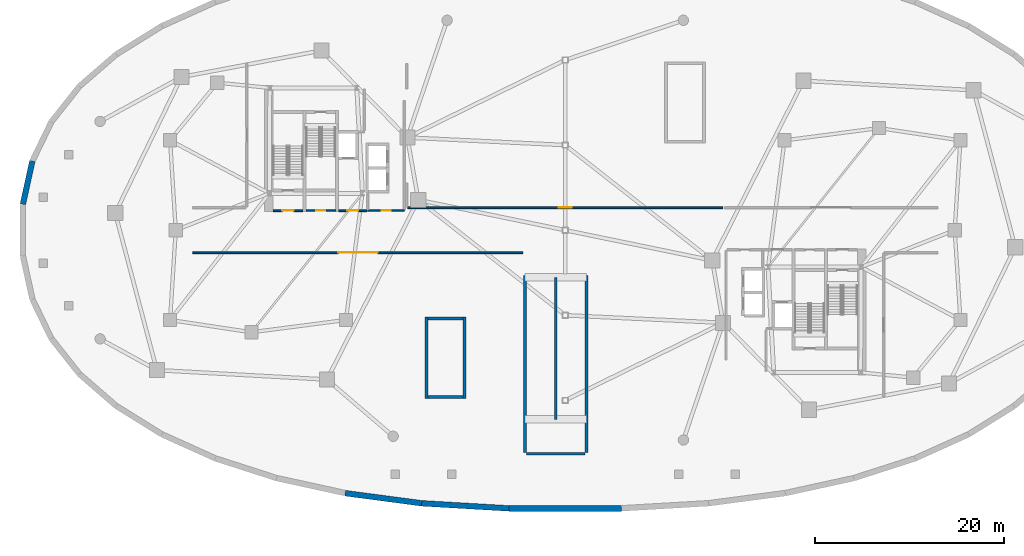
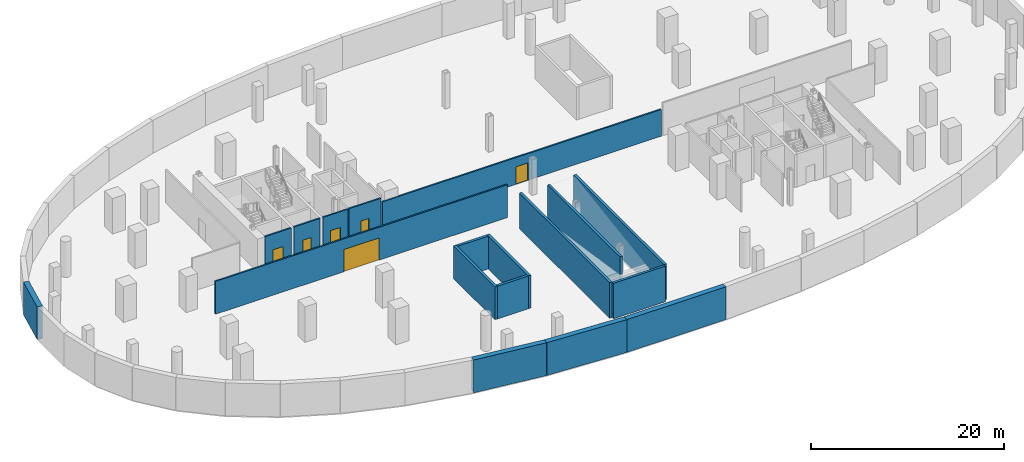
# One storey, part 5 of 10: 18 walls, 6 doors, 6 openings.
"""IFC4 building model written with IfcOpenShell, lengths in metres."""

from ifc_helpers import new_model, si_unit, direction, frame, frame_2d, origin, place, context, subcontext, project, spatial, rectangle, extrude, material, layer, layer_set, type_object, element, fill, save


model = new_model("IFC4")

# Units and contexts
model_context = context("Model", 3, precision=1e-05, world=origin(), true_north=direction((0.0, 1.0)))
body_context = subcontext(model_context, "Body", "Model", "MODEL_VIEW")
ifc_project = project(units=[si_unit("LENGTHUNIT", "METRE"), si_unit("AREAUNIT", "SQUARE_METRE"), si_unit("VOLUMEUNIT", "CUBIC_METRE"), si_unit("PLANEANGLEUNIT", "RADIAN"), si_unit("MASSUNIT", "GRAM", prefix="KILO"), si_unit("THERMODYNAMICTEMPERATUREUNIT", "KELVIN"), si_unit("POWERUNIT", "WATT")], contexts=[model_context])

# Site, building, storey
site_placement = place(None, origin())
site = spatial("IfcSite", under=ifc_project, at=site_placement, CompositionType="ELEMENT")
building_placement = place(site_placement, origin())
building = spatial("IfcBuilding", under=site, at=building_placement, Name="Cundina Bronze Exchange", CompositionType="ELEMENT")
storey_placement = place(building_placement, frame((0.0, 0.0, -4.5)))
storey = spatial("IfcBuildingStorey", under=building, at=storey_placement, Name="B01", CompositionType="ELEMENT", Elevation=-4.5)

# Wall, opening, door
ifc_material_1 = material(Name="Gypsum Fireboard Partition EI120")
ifc_layer_1 = layer(ifc_material_1, 0.179931640625, Name="Gypsum Fireboard Partition EI120")
ifc_layer_set_1 = layer_set([ifc_layer_1], Name="Gypsum Fireboard Partition EI120")
wall_type_1 = type_object("IfcWallType", Name="WL-COR-180", PredefinedType="PARTITIONING", material=ifc_layer_set_1)
wall_1_placement = place(storey_placement, frame((-23.97998046875, 2.06005859375, 0.0), z_axis=(0.0, 0.0, 1.0), x_axis=(1.0, 0.0, 0.0)))
wall_1 = element("IfcWall", 1, at=wall_1_placement, inside=storey, type_object=wall_type_1, Name="B01 W Firefighting Lobby Exit Wall", PredefinedType="PARTITIONING", context=body_context, shape_type="SweptSolid", body=[
    extrude(rectangle(XDim=3.0, YDim=0.179931640625, at=frame_2d((1.5, 0.0))), origin(), (0.0, 0.0, 1.0), 4.14990234375),
])
opening_1_placement = place(wall_1_placement, frame((0.89990234375, 0.0, 0.0)))
opening_1 = element("IfcOpeningElement", 2, at=opening_1_placement, cuts=wall_1, Name="Opening DF-01", PredefinedType="OPENING", context=body_context, shape_type="SweptSolid", body=[
    extrude(rectangle(XDim=1.199951171875, YDim=2.14990234375, at=frame_2d((0.60009765625, 1.074951171875))), frame((0.0, 0.099853515625, 0.0), z_axis=(0.0, -1.0, 0.0), x_axis=(1.0, 0.0, 0.0)), (0.0, 0.0, 1.0), 0.199951171875),
])
ifc_material_2 = material(Name="Steel ASTM A36 Painted", Category="steel")
door_type_1 = type_object("IfcDoorType", Name="DR-FFL-1200", OperationType="NOTDEFINED", PredefinedType="DOOR", material=ifc_material_2)
door_1_placement = place(opening_1_placement, origin())
door_1 = element("IfcDoor", 3, at=door_1_placement, inside=storey, type_object=door_type_1, Name="B01 W Firefighting Lobby Door", OperationType="SINGLE_SWING_RIGHT", OverallHeight=2.14990234375, OverallWidth=1.199951171875, PredefinedType="DOOR", context=body_context, shape_type="SweptSolid", body=[
    extrude(rectangle(XDim=1.199951171875, YDim=2.14990234375, at=frame_2d((0.60009765625, 1.074951171875))), frame((0.0, 0.02490234375, 0.0), z_axis=(0.0, -1.0, 0.0), x_axis=(1.0, 0.0, 0.0)), (0.0, 0.0, 1.0), 0.050048828125),
])
fill(opening_1, door_1)

wall_2_placement = place(storey_placement, frame((-30.89990234375, 2.06005859375, 0.0), z_axis=(0.0, 0.0, 1.0), x_axis=(1.0, 0.0, 0.0)))
wall_2 = element("IfcWall", 4, at=wall_2_placement, inside=storey, type_object=wall_type_1, Name="B01 W Stair Vestibule Exit Wall", PredefinedType="PARTITIONING", context=body_context, shape_type="SweptSolid", body=[
    extrude(rectangle(XDim=3.159912109375, YDim=0.179931640625, at=frame_2d((1.580078125, 0.0))), origin(), (0.0, 0.0, 1.0), 4.14990234375),
])
opening_2_placement = place(wall_2_placement, frame((0.97998046875, 0.0, 0.0)))
opening_2 = element("IfcOpeningElement", 5, at=opening_2_placement, cuts=wall_2, Name="Opening DF-01", PredefinedType="OPENING", context=body_context, shape_type="SweptSolid", body=[
    extrude(rectangle(XDim=1.199951171875, YDim=2.14990234375, at=frame_2d((0.60009765625, 1.074951171875))), frame((0.0, 0.099853515625, 0.0), z_axis=(0.0, -1.0, 0.0), x_axis=(1.0, 0.0, 0.0)), (0.0, 0.0, 1.0), 0.199951171875),
])
door_2_placement = place(opening_2_placement, origin())
door_2 = element("IfcDoor", 6, at=door_2_placement, inside=storey, type_object=door_type_1, Name="B01 W Stair Vestibule Door", OperationType="SINGLE_SWING_LEFT", OverallHeight=2.14990234375, OverallWidth=1.199951171875, PredefinedType="DOOR", context=body_context, shape_type="SweptSolid", body=[
    extrude(rectangle(XDim=1.199951171875, YDim=2.14990234375, at=frame_2d((0.60009765625, 1.074951171875))), frame((0.0, 0.02490234375, 0.0), z_axis=(0.0, -1.0, 0.0), x_axis=(1.0, 0.0, 0.0)), (0.0, 0.0, 1.0), 0.050048828125),
])
fill(opening_2, door_2)

wall_3_placement = place(storey_placement, frame((-20.8701171875, 2.070068359375, 0.0), z_axis=(0.0, 0.0, 1.0), x_axis=(1.0, 0.0, 0.0)))
wall_3 = element("IfcWall", 7, at=wall_3_placement, inside=storey, type_object=wall_type_1, Name="B01 Interior Partition 002", PredefinedType="PARTITIONING", context=body_context, shape_type="SweptSolid", body=[
    extrude(rectangle(XDim=3.830078125, YDim=0.179931640625, at=frame_2d((1.9150390625, 0.0))), origin(), (0.0, 0.0, 1.0), 4.14990234375),
])
opening_3_placement = place(wall_3_placement, frame((1.43994140625, 0.0, 0.0)))
opening_3 = element("IfcOpeningElement", 8, at=opening_3_placement, cuts=wall_3, Name="Opening DW-01", PredefinedType="OPENING", context=body_context, shape_type="SweptSolid", body=[
    extrude(rectangle(XDim=0.949951171875, YDim=2.10009765625, at=frame_2d((0.47509765625, 1.050048828125))), frame((0.0, 0.099853515625, 0.0), z_axis=(0.0, -1.0, 0.0), x_axis=(1.0, 0.0, 0.0)), (0.0, 0.0, 1.0), 0.199951171875),
])
ifc_material_3 = material(Name="Solid Andean Oak Timber Grade A", Category="wood")
door_type_2 = type_object("IfcDoorType", Name="DR-WC-950", OperationType="NOTDEFINED", PredefinedType="DOOR", material=ifc_material_3)
door_3_placement = place(opening_3_placement, origin())
door_3 = element("IfcDoor", 9, at=door_3_placement, inside=storey, type_object=door_type_2, Name="B01 Interior Door 002", OperationType="SINGLE_SWING_RIGHT", OverallHeight=2.10009765625, OverallWidth=0.949951171875, PredefinedType="DOOR", context=body_context, shape_type="SweptSolid", body=[
    extrude(rectangle(XDim=0.949951171875, YDim=2.10009765625, at=frame_2d((0.47509765625, 1.050048828125))), frame((0.0, 0.02490234375, 0.0), z_axis=(0.0, -1.0, 0.0), x_axis=(1.0, 0.0, 0.0)), (0.0, 0.0, 1.0), 0.050048828125),
])
fill(opening_3, door_3)

wall_4_placement = place(storey_placement, frame((-27.419921875, 2.070068359375, 0.0), z_axis=(0.0, 0.0, 1.0), x_axis=(1.0, 0.0, 0.0)))
wall_4 = element("IfcWall", 10, at=wall_4_placement, inside=storey, type_object=wall_type_1, Name="B01 Interior Partition 005", PredefinedType="PARTITIONING", context=body_context, shape_type="SweptSolid", body=[
    extrude(rectangle(XDim=3.119873046875, YDim=0.179931640625, at=frame_2d((1.56005859375, 0.0))), origin(), (0.0, 0.0, 1.0), 4.14990234375),
])
opening_4_placement = place(wall_4_placement, frame((1.0849609375, 0.0, 0.0)))
opening_4 = element("IfcOpeningElement", 11, at=opening_4_placement, cuts=wall_4, Name="Opening DW-01", PredefinedType="OPENING", context=body_context, shape_type="SweptSolid", body=[
    extrude(rectangle(XDim=0.949951171875, YDim=2.10009765625, at=frame_2d((0.47509765625, 1.050048828125))), frame((0.0, 0.099853515625, 0.0), z_axis=(0.0, -1.0, 0.0), x_axis=(1.0, 0.0, 0.0)), (0.0, 0.0, 1.0), 0.199951171875),
])
door_4_placement = place(opening_4_placement, origin())
door_4 = element("IfcDoor", 12, at=door_4_placement, inside=storey, type_object=door_type_2, Name="B01 Interior Door 005", OperationType="SINGLE_SWING_RIGHT", OverallHeight=2.10009765625, OverallWidth=0.949951171875, PredefinedType="DOOR", context=body_context, shape_type="SweptSolid", body=[
    extrude(rectangle(XDim=0.949951171875, YDim=2.10009765625, at=frame_2d((0.47509765625, 1.050048828125))), frame((0.0, 0.02490234375, 0.0), z_axis=(0.0, -1.0, 0.0), x_axis=(1.0, 0.0, 0.0)), (0.0, 0.0, 1.0), 0.050048828125),
])
fill(opening_4, door_4)

wall_5_placement = place(storey_placement, frame((-39.37841796875, -2.3798828125, 0.0), z_axis=(0.0, 0.0, 1.0), x_axis=(1.0, 0.0, 0.0)))
wall_5 = element("IfcWall", 13, at=wall_5_placement, inside=storey, type_object=wall_type_1, Name="B01 Interior Partition 011", PredefinedType="PARTITIONING", context=body_context, shape_type="SweptSolid", body=[
    extrude(rectangle(XDim=34.908447265625, YDim=0.179931640625, at=frame_2d((17.4541015625, 0.0))), origin(), (0.0, 0.0, 1.0), 4.14990234375),
])
opening_5_placement = place(wall_5_placement, frame((15.354248046875, 0.0, 0.0)))
opening_5 = element("IfcOpeningElement", 14, at=opening_5_placement, cuts=wall_5, Name="Opening GT-02", PredefinedType="OPENING", context=body_context, shape_type="SweptSolid", body=[
    extrude(rectangle(XDim=4.199951171875, YDim=2.800048828125, at=frame_2d((2.10009765625, 1.39990234375))), frame((0.0, 0.099853515625, 0.0), z_axis=(0.0, -1.0, 0.0), x_axis=(1.0, 0.0, 0.0)), (0.0, 0.0, 1.0), 0.199951171875),
])
door_type_3 = type_object("IfcDoorType", Name="DR-GAT-SWG4200", OperationType="NOTDEFINED", PredefinedType="GATE", material=ifc_material_2)
door_5_placement = place(opening_5_placement, origin())
door_5 = element("IfcDoor", 15, at=door_5_placement, inside=storey, type_object=door_type_3, Name="B01 Interior Door 011", OperationType="SINGLE_SWING_LEFT", OverallHeight=2.800048828125, OverallWidth=4.199951171875, PredefinedType="GATE", context=body_context, shape_type="SweptSolid", body=[
    extrude(rectangle(XDim=4.199951171875, YDim=2.800048828125, at=frame_2d((2.10009765625, 1.39990234375))), frame((0.0, 0.02490234375, 0.0), z_axis=(0.0, -1.0, 0.0), x_axis=(1.0, 0.0, 0.0)), (0.0, 0.0, 1.0), 0.050048828125),
])
fill(opening_5, door_5)

wall_6_placement = place(storey_placement, frame((16.679931640625, 2.3798828125, 0.0), z_axis=(0.0, 0.0, 1.0), x_axis=(-1.0, 0.0, 0.0)))
wall_6 = element("IfcWall", 16, at=wall_6_placement, inside=storey, type_object=wall_type_1, Name="B01 Interior Partition 012", PredefinedType="PARTITIONING", context=body_context, shape_type="SweptSolid", body=[
    extrude(rectangle(XDim=33.35986328125, YDim=0.179931640625, at=frame_2d((16.679931640625, 0.0))), origin(), (0.0, 0.0, 1.0), 3.376953125),
])
opening_6_placement = place(wall_6_placement, frame((15.97998046875, 0.0, 0.0)))
opening_6 = element("IfcOpeningElement", 17, at=opening_6_placement, cuts=wall_6, Name="Opening DP-01", PredefinedType="OPENING", context=body_context, shape_type="SweptSolid", body=[
    extrude(rectangle(XDim=1.39990234375, YDim=2.199951171875, at=frame_2d((0.699951171875, 1.10009765625))), frame((0.0, 0.099853515625, 0.0), z_axis=(0.0, -1.0, 0.0), x_axis=(1.0, 0.0, 0.0)), (0.0, 0.0, 1.0), 0.199951171875),
])
door_type_4 = type_object("IfcDoorType", Name="DR-PLT-1400", OperationType="NOTDEFINED", PredefinedType="DOOR", material=ifc_material_2)
door_6_placement = place(opening_6_placement, origin())
door_6 = element("IfcDoor", 18, at=door_6_placement, inside=storey, type_object=door_type_4, Name="B01 Interior Door 012", OperationType="SINGLE_SWING_RIGHT", OverallHeight=2.199951171875, OverallWidth=1.39990234375, PredefinedType="DOOR", context=body_context, shape_type="SweptSolid", body=[
    extrude(rectangle(XDim=1.39990234375, YDim=2.199951171875, at=frame_2d((0.699951171875, 1.10009765625))), frame((0.0, 0.02490234375, 0.0), z_axis=(0.0, -1.0, 0.0), x_axis=(1.0, 0.0, 0.0)), (0.0, 0.0, 1.0), 0.050048828125),
])
fill(opening_6, door_6)

# Walls
ifc_material_4 = material(Name="Concrete C40/50", Category="concrete")
ifc_layer_2 = layer(ifc_material_4, 0.60009765625, Name="Concrete C40/50", Category="concrete")
ifc_layer_set_2 = layer_set([ifc_layer_2], Name="Concrete C40/50")
wall_type_2 = type_object("IfcWallType", Name="WL-RET-600", PredefinedType="USERDEFINED", material=ifc_layer_set_2)
wall_7_placement = place(storey_placement, frame((-56.367919921875, 7.321044921875, 0.0), z_axis=(0.0, 0.0, 1.0), x_axis=(-0.214510247434, -0.976721738135, 0.0)))
element("IfcWall", 19, at=wall_7_placement, inside=storey, type_object=wall_type_2, Name="B01 Perimeter Concrete Retaining Wall 21", ObjectType="RETAININGWALL", PredefinedType="USERDEFINED", context=body_context, shape_type="SweptSolid", body=[
    extrude(rectangle(XDim=4.690185546875, YDim=0.60009765625, at=frame_2d((2.34521484375, 0.0))), origin(), (0.0, 0.0, 1.0), 4.14990234375),
])
wall_8_placement = place(storey_placement, frame((-23.281005859375, -27.821044921875, 0.0), z_axis=(0.0, 0.0, 1.0), x_axis=(0.991355566156, -0.131202673187, 0.0)))
element("IfcWall", 20, at=wall_8_placement, inside=storey, type_object=wall_type_2, Name="B01 Perimeter Concrete Retaining Wall 31", ObjectType="RETAININGWALL", PredefinedType="USERDEFINED", context=body_context, shape_type="SweptSolid", body=[
    extrude(rectangle(XDim=8.170654296875, YDim=0.60009765625, at=frame_2d((4.08544921875, 0.0))), origin(), (0.0, 0.0, 1.0), 4.14990234375),
])
wall_9_placement = place(storey_placement, frame((-15.180908203125, -28.89306640625, 0.0), z_axis=(0.0, 0.0, 1.0), x_axis=(0.998305864477, -0.058184198455, 0.0)))
element("IfcWall", 21, at=wall_9_placement, inside=storey, type_object=wall_type_2, Name="B01 Perimeter Concrete Retaining Wall 32", ObjectType="RETAININGWALL", PredefinedType="USERDEFINED", context=body_context, shape_type="SweptSolid", body=[
    extrude(rectangle(XDim=9.260498046875, YDim=0.60009765625, at=frame_2d((4.63037109375, 0.0))), origin(), (0.0, 0.0, 1.0), 4.14990234375),
])
wall_10_placement = place(storey_placement, frame((-5.93603515625, -29.431884765625, 0.0), z_axis=(0.0, 0.0, 1.0), x_axis=(1.0, 0.0, 0.0)))
element("IfcWall", 22, at=wall_10_placement, inside=storey, type_object=wall_type_2, Name="B01 Perimeter Concrete Retaining Wall 33", ObjectType="RETAININGWALL", PredefinedType="USERDEFINED", context=body_context, shape_type="SweptSolid", body=[
    extrude(rectangle(XDim=11.8720703125, YDim=0.60009765625, at=frame_2d((5.93603515625, 0.0))), origin(), (0.0, 0.0, 1.0), 4.14990234375),
])
ifc_material_5 = material(Name="Concrete C50/60", Category="concrete")
ifc_layer_3 = layer(ifc_material_5, 0.300048828125, Name="Concrete C50/60", Category="concrete")
ifc_layer_set_3 = layer_set([ifc_layer_3], Name="Concrete C50/60")
wall_type_3 = type_object("IfcWallType", Name="WL-SHFT-300", PredefinedType="SHEAR", material=ifc_layer_set_3)
for number, where, z_axis, x_axis, name in (
    (23, (-4.25, -23.5, 0.0), (0.0, 0.0, 1.0), (0.0, 1.0, 0.0), "B01 Car Park Ramp West Bearing Wall"),
    (24, (2.25, -23.5, 0.0), (0.0, 0.0, 1.0), (0.0, 1.0, 0.0), "B01 Car Park Ramp East Bearing Wall"),
):
    element("IfcWall", number, at=place(storey_placement, frame(where, z_axis=z_axis, x_axis=x_axis)), inside=storey, type_object=wall_type_3, Name=name, PredefinedType="SHEAR", context=body_context, shape_type="SweptSolid", body=[
        extrude(rectangle(XDim=18.699951171875, YDim=0.300048828125, at=frame_2d((9.35009765625, 0.0))), origin(), (0.0, 0.0, 1.0), 4.5),
    ])
wall_11_placement = place(storey_placement, frame((-4.10009765625, -23.64990234375, 0.0), z_axis=(0.0, 0.0, 1.0), x_axis=(1.0, 0.0, 0.0)))
element("IfcWall", 25, at=wall_11_placement, inside=storey, type_object=wall_type_3, Name="B01 Car Park Ramp South End Wall", PredefinedType="SHEAR", context=body_context, shape_type="SweptSolid", body=[
    extrude(rectangle(XDim=6.2001953125, YDim=0.300048828125, at=frame_2d((3.10009765625, 0.0))), origin(), (0.0, 0.0, 1.0), 4.5),
])
wall_12_placement = place(storey_placement, frame((-1.0, -20.0, 0.0), z_axis=(0.0, 0.0, 1.0), x_axis=(0.0, 1.0, 0.0)))
element("IfcWall", 26, at=wall_12_placement, inside=storey, type_object=wall_type_3, Name="B01 Car Park Ramp Central Dividing Wall", PredefinedType="SHEAR", context=body_context, shape_type="SweptSolid", body=[
    extrude(rectangle(XDim=15.0, YDim=0.300048828125, at=frame_2d((7.5, 0.0))), origin(), (0.0, 0.0, 1.0), 4.5),
])
for number, where, z_axis, x_axis, name in (
    (27, (-14.669921875, -17.800048828125, 0.0), (0.0, 0.0, 1.0), (0.0, 1.0, 0.0), "B01 Concourse Stair W West Shaft Wall"),
    (28, (-10.669921875, -17.800048828125, 0.0), (0.0, 0.0, 1.0), (0.0, 1.0, 0.0), "B01 Concourse Stair W East Shaft Wall"),
):
    element("IfcWall", number, at=place(storey_placement, frame(where, z_axis=z_axis, x_axis=x_axis)), inside=storey, type_object=wall_type_3, Name=name, PredefinedType="SHEAR", context=body_context, shape_type="SweptSolid", body=[
        extrude(rectangle(XDim=8.60009765625, YDim=0.300048828125, at=frame_2d((4.300048828125, 0.0))), origin(), (0.0, 0.0, 1.0), 4.14990234375),
    ])
for number, where, z_axis, x_axis, name in (
    (29, (-14.52001953125, -17.64990234375, 0.0), (0.0, 0.0, 1.0), (1.0, 0.0, 0.0), "B01 Concourse Stair W Landing Wall"),
    (30, (-14.52001953125, -9.35009765625, 0.0), (0.0, 0.0, 1.0), (1.0, 0.0, 0.0), "B01 Concourse Stair W Far Shaft Wall"),
):
    element("IfcWall", number, at=place(storey_placement, frame(where, z_axis=z_axis, x_axis=x_axis)), inside=storey, type_object=wall_type_3, Name=name, PredefinedType="SHEAR", context=body_context, shape_type="SweptSolid", body=[
        extrude(rectangle(XDim=3.699951171875, YDim=0.300048828125, at=frame_2d((1.85009765625, 0.0))), origin(), (0.0, 0.0, 1.0), 4.14990234375),
    ])

save(model, "model.ifc")
